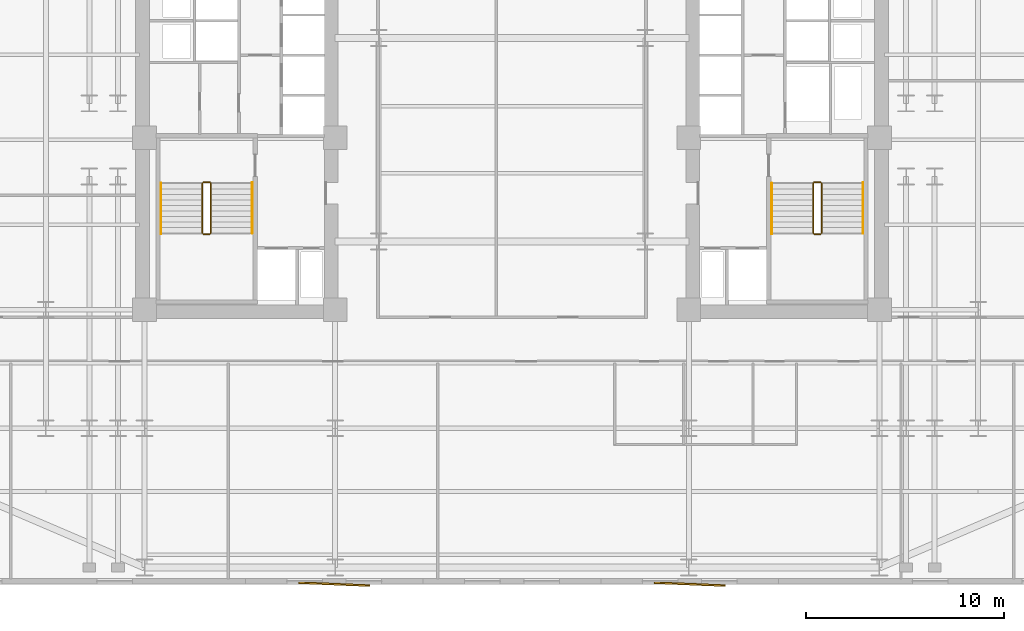
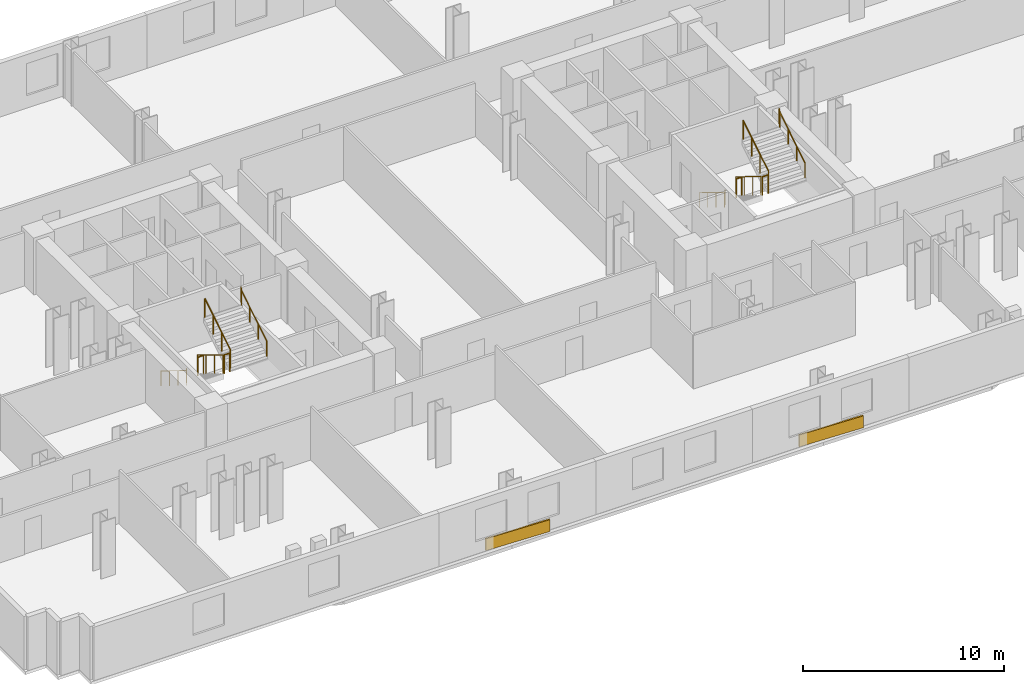
# One storey, part 9 of 10: 12 railings, 2 coverings.
"""IFC4 building model written with IfcOpenShell, lengths in metres."""

from ifc_helpers import new_model, si_unit, direction, frame, origin, origin_2d, place, context, subcontext, project, spatial, rectangle, circle, extrude, material, layer, layer_set, type_object, element, save


model = new_model("IFC4")

# Units and contexts
model_context = context("Model", 3, precision=1e-05, world=origin(), true_north=direction((0.0, 1.0)))
body_context = subcontext(model_context, "Body", "Model", "MODEL_VIEW")
ifc_project = project(units=[si_unit("LENGTHUNIT", "METRE"), si_unit("AREAUNIT", "SQUARE_METRE"), si_unit("VOLUMEUNIT", "CUBIC_METRE"), si_unit("PLANEANGLEUNIT", "RADIAN"), si_unit("MASSUNIT", "GRAM", prefix="KILO")], contexts=[model_context])

# Site, building, storey
site_placement = place(None, origin())
site = spatial("IfcSite", under=ifc_project, at=site_placement, CompositionType="ELEMENT")
building_placement = place(site_placement, origin())
building = spatial("IfcBuilding", under=site, at=building_placement, Name="Velakula Bourse", CompositionType="ELEMENT")
storey_placement = place(building_placement, frame((0.0, 0.0, 45.0)))
storey = spatial("IfcBuildingStorey", under=building, at=storey_placement, Name="L11", CompositionType="ELEMENT", Elevation=45.0)

# Coverings
ifc_material_1 = material(Name="Red kilned clay facing brick masonry", Category="masonry")
ifc_layer = layer(ifc_material_1, 0.090087890625, Name="Red kilned clay facing brick masonry", Category="masonry")
ifc_layer_set = layer_set([ifc_layer], Name="Red kilned clay facing brick masonry")
covering_type = type_object("IfcCoveringType", Name="COV-BRK-FOLD-90", PredefinedType="CLADDING", material=ifc_layer_set)
for number, where, z_axis, x_axis, name in (
    (1, (-9.0, -22.489990234375, 0.0), (0.0, 0.0, 1.0), (0.999158993058, -0.041003738744, 0.0), "L11 Folded Brick Facade Cladding Panel S-B2"),
    (2, (9.0, -22.489990234375, 0.0), (0.0, 0.0, 1.0), (0.999158993058, -0.041003738744, 0.0), "L11 Folded Brick Facade Cladding Panel S-B4"),
):
    element("IfcCovering", number, at=place(storey_placement, frame(where, z_axis=z_axis, x_axis=x_axis)), inside=storey, type_object=covering_type, Name=name, PredefinedType="CLADDING", context=body_context, shape_type="SweptSolid", body=[
        extrude(rectangle(XDim=3.60009765625, YDim=0.090087890625, at=origin_2d()), origin(), (0.0, 0.0, 1.0), 0.719970703125),
    ])

# Railings
ifc_material_2 = material(Name="Brushed grade 316 stainless steel", Category="steel")
railing_type_1 = type_object("IfcRailingType", Name="RLG-STAIR-GUARD-1150", PredefinedType="BALUSTRADE", material=ifc_material_2)
railing_1_placement = place(storey_placement, frame((-15.672119140625, -2.199951171875, 0.172607421875)))
element("IfcRailing", 3, at=railing_1_placement, inside=storey, type_object=railing_type_1, Name="L11 ST-W1 stair guard 1", PredefinedType="BALUSTRADE", context=body_context, shape_type="SweptSolid", body=[
    extrude(circle(Radius=0.02490234375, at=origin_2d()), frame((0.0, 0.0, 1.125), z_axis=(0.0, -0.851400495292, 0.524516154772), x_axis=(1.0, 0.0, 0.0)), (0.0, 0.0, 1.0), 2.9599609375),
    extrude(circle(Radius=0.02099609375, at=origin_2d()), origin(), (0.0, 0.0, 1.0), 1.099853515625),
    extrude(circle(Radius=0.02099609375, at=origin_2d()), frame((0.0, -0.840087890625, 0.517578125)), (0.0, 0.0, 1.0), 1.099853515625),
    extrude(circle(Radius=0.02099609375, at=origin_2d()), frame((0.0, -1.679931640625, 1.034912109375)), (0.0, 0.0, 1.0), 1.099853515625),
    extrude(circle(Radius=0.02099609375, at=origin_2d()), frame((0.0, -2.52001953125, 1.552490234375)), (0.0, 0.0, 1.0), 1.099853515625),
])
railing_2_placement = place(storey_placement, frame((-15.6220703125, -4.77001953125, 1.72509765625)))
element("IfcRailing", 4, at=railing_2_placement, inside=storey, type_object=railing_type_1, Name="L11 ST-W1 stair guard 2", PredefinedType="BALUSTRADE", context=body_context, shape_type="SweptSolid", body=[
    extrude(circle(Radius=0.02490234375, at=origin_2d()), frame((0.0, 0.0, 1.125), z_axis=(1.0, 0.0, 0.0), x_axis=(0.0, 1.0, 0.0)), (0.0, 0.0, 1.0), 0.323974609375),
    extrude(circle(Radius=0.02099609375, at=origin_2d()), origin(), (0.0, 0.0, 1.0), 1.099853515625),
    extrude(circle(Radius=0.02099609375, at=origin_2d()), frame((0.323974609375, 0.0, 0.0)), (0.0, 0.0, 1.0), 1.099853515625),
])
railing_3_placement = place(storey_placement, frame((-15.248046875, -4.719970703125, 1.8974609375)))
element("IfcRailing", 5, at=railing_3_placement, inside=storey, type_object=railing_type_1, Name="L11 ST-W1 stair guard 3", PredefinedType="BALUSTRADE", context=body_context, shape_type="SweptSolid", body=[
    extrude(circle(Radius=0.02490234375, at=origin_2d()), frame((0.0, 0.0, 1.125), z_axis=(0.0, 0.851400495292, 0.524516154772), x_axis=(-1.0, 0.0, 0.0)), (0.0, 0.0, 1.0), 2.9599609375),
    extrude(circle(Radius=0.02099609375, at=origin_2d()), origin(), (0.0, 0.0, 1.0), 1.099853515625),
    extrude(circle(Radius=0.02099609375, at=origin_2d()), frame((0.0, 0.840087890625, 0.517578125)), (0.0, 0.0, 1.0), 1.099853515625),
    extrude(circle(Radius=0.02099609375, at=origin_2d()), frame((0.0, 1.679931640625, 1.034912109375)), (0.0, 0.0, 1.0), 1.099853515625),
    extrude(circle(Radius=0.02099609375, at=origin_2d()), frame((0.0, 2.52001953125, 1.552490234375)), (0.0, 0.0, 1.0), 1.099853515625),
])
railing_4_placement = place(storey_placement, frame((-15.6220703125, -2.14990234375, 0.0)))
element("IfcRailing", 6, at=railing_4_placement, inside=storey, type_object=railing_type_1, Name="L11 ST-W1 stair guard 4", PredefinedType="BALUSTRADE", context=body_context, shape_type="SweptSolid", body=[
    extrude(circle(Radius=0.02490234375, at=origin_2d()), frame((0.0, 0.0, 1.125), z_axis=(1.0, 0.0, 0.0), x_axis=(0.0, 1.0, 0.0)), (0.0, 0.0, 1.0), 0.323974609375),
    extrude(circle(Radius=0.02099609375, at=origin_2d()), origin(), (0.0, 0.0, 1.0), 1.099853515625),
    extrude(circle(Radius=0.02099609375, at=origin_2d()), frame((0.323974609375, 0.0, 0.0)), (0.0, 0.0, 1.0), 1.099853515625),
])
railing_5_placement = place(storey_placement, frame((15.248046875, -2.199951171875, 0.172607421875)))
element("IfcRailing", 7, at=railing_5_placement, inside=storey, type_object=railing_type_1, Name="L11 ST-E1 stair guard 1", PredefinedType="BALUSTRADE", context=body_context, shape_type="SweptSolid", body=[
    extrude(circle(Radius=0.02490234375, at=origin_2d()), frame((0.0, 0.0, 1.125), z_axis=(0.0, -0.851400495292, 0.524516154772), x_axis=(1.0, 0.0, 0.0)), (0.0, 0.0, 1.0), 2.9599609375),
    extrude(circle(Radius=0.02099609375, at=origin_2d()), origin(), (0.0, 0.0, 1.0), 1.099853515625),
    extrude(circle(Radius=0.02099609375, at=origin_2d()), frame((0.0, -0.840087890625, 0.517578125)), (0.0, 0.0, 1.0), 1.099853515625),
    extrude(circle(Radius=0.02099609375, at=origin_2d()), frame((0.0, -1.679931640625, 1.034912109375)), (0.0, 0.0, 1.0), 1.099853515625),
    extrude(circle(Radius=0.02099609375, at=origin_2d()), frame((0.0, -2.52001953125, 1.552490234375)), (0.0, 0.0, 1.0), 1.099853515625),
])
railing_6_placement = place(storey_placement, frame((15.298095703125, -4.77001953125, 1.72509765625)))
element("IfcRailing", 8, at=railing_6_placement, inside=storey, type_object=railing_type_1, Name="L11 ST-E1 stair guard 2", PredefinedType="BALUSTRADE", context=body_context, shape_type="SweptSolid", body=[
    extrude(circle(Radius=0.02490234375, at=origin_2d()), frame((0.0, 0.0, 1.125), z_axis=(1.0, 0.0, 0.0), x_axis=(0.0, 1.0, 0.0)), (0.0, 0.0, 1.0), 0.323974609375),
    extrude(circle(Radius=0.02099609375, at=origin_2d()), origin(), (0.0, 0.0, 1.0), 1.099853515625),
    extrude(circle(Radius=0.02099609375, at=origin_2d()), frame((0.323974609375, 0.0, 0.0)), (0.0, 0.0, 1.0), 1.099853515625),
])
railing_7_placement = place(storey_placement, frame((15.672119140625, -4.719970703125, 1.8974609375)))
element("IfcRailing", 9, at=railing_7_placement, inside=storey, type_object=railing_type_1, Name="L11 ST-E1 stair guard 3", PredefinedType="BALUSTRADE", context=body_context, shape_type="SweptSolid", body=[
    extrude(circle(Radius=0.02490234375, at=origin_2d()), frame((0.0, 0.0, 1.125), z_axis=(0.0, 0.851400495292, 0.524516154772), x_axis=(-1.0, 0.0, 0.0)), (0.0, 0.0, 1.0), 2.9599609375),
    extrude(circle(Radius=0.02099609375, at=origin_2d()), origin(), (0.0, 0.0, 1.0), 1.099853515625),
    extrude(circle(Radius=0.02099609375, at=origin_2d()), frame((0.0, 0.840087890625, 0.517578125)), (0.0, 0.0, 1.0), 1.099853515625),
    extrude(circle(Radius=0.02099609375, at=origin_2d()), frame((0.0, 1.679931640625, 1.034912109375)), (0.0, 0.0, 1.0), 1.099853515625),
    extrude(circle(Radius=0.02099609375, at=origin_2d()), frame((0.0, 2.52001953125, 1.552490234375)), (0.0, 0.0, 1.0), 1.099853515625),
])
railing_8_placement = place(storey_placement, frame((15.298095703125, -2.14990234375, 0.0)))
element("IfcRailing", 10, at=railing_8_placement, inside=storey, type_object=railing_type_1, Name="L11 ST-E1 stair guard 4", PredefinedType="BALUSTRADE", context=body_context, shape_type="SweptSolid", body=[
    extrude(circle(Radius=0.02490234375, at=origin_2d()), frame((0.0, 0.0, 1.125), z_axis=(1.0, 0.0, 0.0), x_axis=(0.0, 1.0, 0.0)), (0.0, 0.0, 1.0), 0.323974609375),
    extrude(circle(Radius=0.02099609375, at=origin_2d()), origin(), (0.0, 0.0, 1.0), 1.099853515625),
    extrude(circle(Radius=0.02099609375, at=origin_2d()), frame((0.323974609375, 0.0, 0.0)), (0.0, 0.0, 1.0), 1.099853515625),
])
railing_type_2 = type_object("IfcRailingType", Name="RLG-STAIR-HAND-920", PredefinedType="HANDRAIL", material=ifc_material_2)
railing_9_placement = place(storey_placement, frame((-17.77001953125, -2.199951171875, 0.172607421875)))
element("IfcRailing", 11, at=railing_9_placement, inside=storey, type_object=railing_type_2, Name="L11 ST-W1 stair handrail 1", PredefinedType="HANDRAIL", context=body_context, shape_type="SweptSolid", body=[
    extrude(circle(Radius=0.02099609375, at=origin_2d()), frame((0.0, 0.0, 0.89892578125), z_axis=(0.0, -0.851400495292, 0.524516154772), x_axis=(1.0, 0.0, 0.0)), (0.0, 0.0, 1.0), 2.9599609375),
    extrude(circle(Radius=0.02099609375, at=origin_2d()), frame((0.0, -2.52001953125, 2.451416015625), z_axis=(0.0, -0.226269970362, 0.974064628509), x_axis=(1.0, 0.0, 0.0)), (0.0, 0.0, 1.0), 0.177001953125),
    extrude(circle(Radius=0.02099609375, at=origin_2d()), frame((0.0, -2.56005859375, 2.623779296875), z_axis=(0.0, -1.0, 0.0), x_axis=(1.0, 0.0, 0.0)), (0.0, 0.0, 1.0), 0.0048828125),
    extrude(circle(Radius=0.02099609375, at=origin_2d()), origin(), (0.0, 0.0, 1.0), 0.8779296875),
    extrude(circle(Radius=0.02099609375, at=origin_2d()), frame((0.0, -0.840087890625, 0.517578125)), (0.0, 0.0, 1.0), 0.8779296875),
    extrude(circle(Radius=0.02099609375, at=origin_2d()), frame((0.0, -1.679931640625, 1.034912109375)), (0.0, 0.0, 1.0), 0.8779296875),
    extrude(circle(Radius=0.02099609375, at=origin_2d()), frame((0.0, -2.52001953125, 1.552490234375)), (0.0, 0.0, 1.0), 0.8779296875),
    extrude(circle(Radius=0.02099609375, at=origin_2d()), frame((0.0, -2.56005859375, 1.724853515625)), (0.0, 0.0, 1.0), 0.8779296875),
    extrude(circle(Radius=0.02099609375, at=origin_2d()), frame((0.0, -2.56494140625, 1.724853515625)), (0.0, 0.0, 1.0), 0.8779296875),
])
railing_10_placement = place(storey_placement, frame((-13.14990234375, -4.719970703125, 1.8974609375)))
element("IfcRailing", 12, at=railing_10_placement, inside=storey, type_object=railing_type_2, Name="L11 ST-W1 stair handrail 2", PredefinedType="HANDRAIL", context=body_context, shape_type="SweptSolid", body=[
    extrude(circle(Radius=0.02099609375, at=origin_2d()), frame((0.0, 0.0, 0.89892578125), z_axis=(0.0, 0.851400495292, 0.524516154772), x_axis=(-1.0, 0.0, 0.0)), (0.0, 0.0, 1.0), 2.9599609375),
    extrude(circle(Radius=0.02099609375, at=origin_2d()), frame((0.0, 2.52001953125, 2.451416015625), z_axis=(0.0, 0.22596628056, 0.974135124123), x_axis=(-1.0, 0.0, 0.0)), (0.0, 0.0, 1.0), 0.17724609375),
    extrude(circle(Radius=0.02099609375, at=origin_2d()), frame((0.0, 2.56005859375, 2.6240234375), z_axis=(0.0, 1.0, 0.0), x_axis=(-1.0, 0.0, 0.0)), (0.0, 0.0, 1.0), 0.0048828125),
    extrude(circle(Radius=0.02099609375, at=origin_2d()), origin(), (0.0, 0.0, 1.0), 0.8779296875),
    extrude(circle(Radius=0.02099609375, at=origin_2d()), frame((0.0, 0.840087890625, 0.517578125)), (0.0, 0.0, 1.0), 0.8779296875),
    extrude(circle(Radius=0.02099609375, at=origin_2d()), frame((0.0, 1.679931640625, 1.034912109375)), (0.0, 0.0, 1.0), 0.8779296875),
    extrude(circle(Radius=0.02099609375, at=origin_2d()), frame((0.0, 2.52001953125, 1.552490234375)), (0.0, 0.0, 1.0), 0.8779296875),
    extrude(circle(Radius=0.02099609375, at=origin_2d()), frame((0.0, 2.56005859375, 1.72509765625)), (0.0, 0.0, 1.0), 0.8779296875),
    extrude(circle(Radius=0.02099609375, at=origin_2d()), frame((0.0, 2.56494140625, 1.72509765625)), (0.0, 0.0, 1.0), 0.8779296875),
])
railing_11_placement = place(storey_placement, frame((13.14990234375, -2.199951171875, 0.172607421875)))
element("IfcRailing", 13, at=railing_11_placement, inside=storey, type_object=railing_type_2, Name="L11 ST-E1 stair handrail 1", PredefinedType="HANDRAIL", context=body_context, shape_type="SweptSolid", body=[
    extrude(circle(Radius=0.02099609375, at=origin_2d()), frame((0.0, 0.0, 0.89892578125), z_axis=(0.0, -0.851400495292, 0.524516154772), x_axis=(1.0, 0.0, 0.0)), (0.0, 0.0, 1.0), 2.9599609375),
    extrude(circle(Radius=0.02099609375, at=origin_2d()), frame((0.0, -2.52001953125, 2.451416015625), z_axis=(0.0, -0.226269970362, 0.974064628509), x_axis=(1.0, 0.0, 0.0)), (0.0, 0.0, 1.0), 0.177001953125),
    extrude(circle(Radius=0.02099609375, at=origin_2d()), frame((0.0, -2.56005859375, 2.623779296875), z_axis=(0.0, -1.0, 0.0), x_axis=(1.0, 0.0, 0.0)), (0.0, 0.0, 1.0), 0.0048828125),
    extrude(circle(Radius=0.02099609375, at=origin_2d()), origin(), (0.0, 0.0, 1.0), 0.8779296875),
    extrude(circle(Radius=0.02099609375, at=origin_2d()), frame((0.0, -0.840087890625, 0.517578125)), (0.0, 0.0, 1.0), 0.8779296875),
    extrude(circle(Radius=0.02099609375, at=origin_2d()), frame((0.0, -1.679931640625, 1.034912109375)), (0.0, 0.0, 1.0), 0.8779296875),
    extrude(circle(Radius=0.02099609375, at=origin_2d()), frame((0.0, -2.52001953125, 1.552490234375)), (0.0, 0.0, 1.0), 0.8779296875),
    extrude(circle(Radius=0.02099609375, at=origin_2d()), frame((0.0, -2.56005859375, 1.724853515625)), (0.0, 0.0, 1.0), 0.8779296875),
    extrude(circle(Radius=0.02099609375, at=origin_2d()), frame((0.0, -2.56494140625, 1.724853515625)), (0.0, 0.0, 1.0), 0.8779296875),
])
railing_12_placement = place(storey_placement, frame((17.77001953125, -4.719970703125, 1.8974609375)))
element("IfcRailing", 14, at=railing_12_placement, inside=storey, type_object=railing_type_2, Name="L11 ST-E1 stair handrail 2", PredefinedType="HANDRAIL", context=body_context, shape_type="SweptSolid", body=[
    extrude(circle(Radius=0.02099609375, at=origin_2d()), frame((0.0, 0.0, 0.89892578125), z_axis=(0.0, 0.851400495292, 0.524516154772), x_axis=(-1.0, 0.0, 0.0)), (0.0, 0.0, 1.0), 2.9599609375),
    extrude(circle(Radius=0.02099609375, at=origin_2d()), frame((0.0, 2.52001953125, 2.451416015625), z_axis=(0.0, 0.22596628056, 0.974135124123), x_axis=(-1.0, 0.0, 0.0)), (0.0, 0.0, 1.0), 0.17724609375),
    extrude(circle(Radius=0.02099609375, at=origin_2d()), frame((0.0, 2.56005859375, 2.6240234375), z_axis=(0.0, 1.0, 0.0), x_axis=(-1.0, 0.0, 0.0)), (0.0, 0.0, 1.0), 0.0048828125),
    extrude(circle(Radius=0.02099609375, at=origin_2d()), origin(), (0.0, 0.0, 1.0), 0.8779296875),
    extrude(circle(Radius=0.02099609375, at=origin_2d()), frame((0.0, 0.840087890625, 0.517578125)), (0.0, 0.0, 1.0), 0.8779296875),
    extrude(circle(Radius=0.02099609375, at=origin_2d()), frame((0.0, 1.679931640625, 1.034912109375)), (0.0, 0.0, 1.0), 0.8779296875),
    extrude(circle(Radius=0.02099609375, at=origin_2d()), frame((0.0, 2.52001953125, 1.552490234375)), (0.0, 0.0, 1.0), 0.8779296875),
    extrude(circle(Radius=0.02099609375, at=origin_2d()), frame((0.0, 2.56005859375, 1.72509765625)), (0.0, 0.0, 1.0), 0.8779296875),
    extrude(circle(Radius=0.02099609375, at=origin_2d()), frame((0.0, 2.56494140625, 1.72509765625)), (0.0, 0.0, 1.0), 0.8779296875),
])

save(model, "model.ifc")
